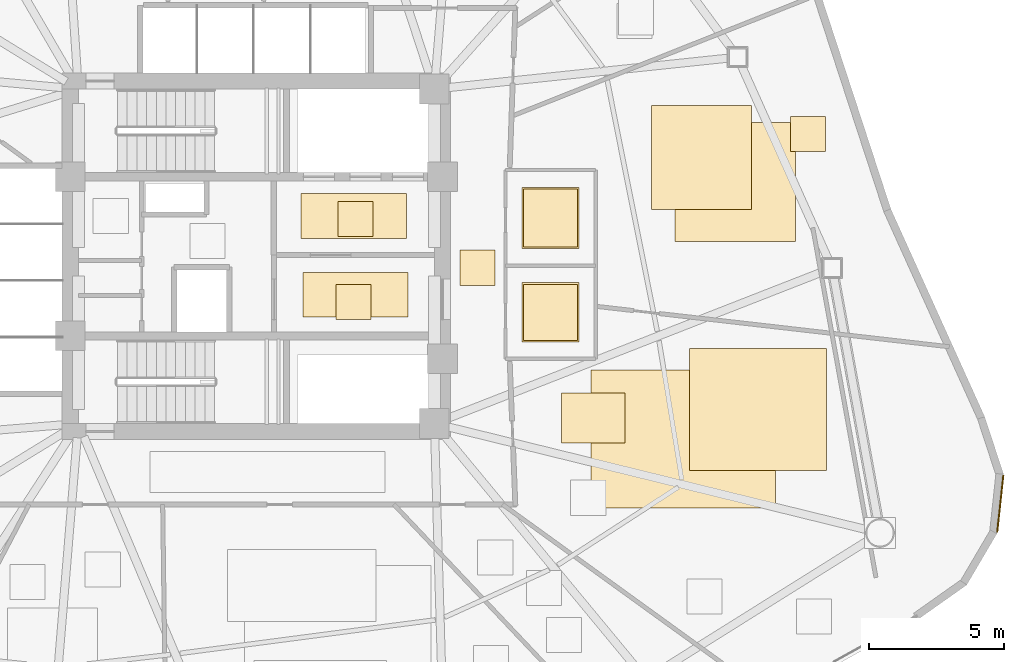
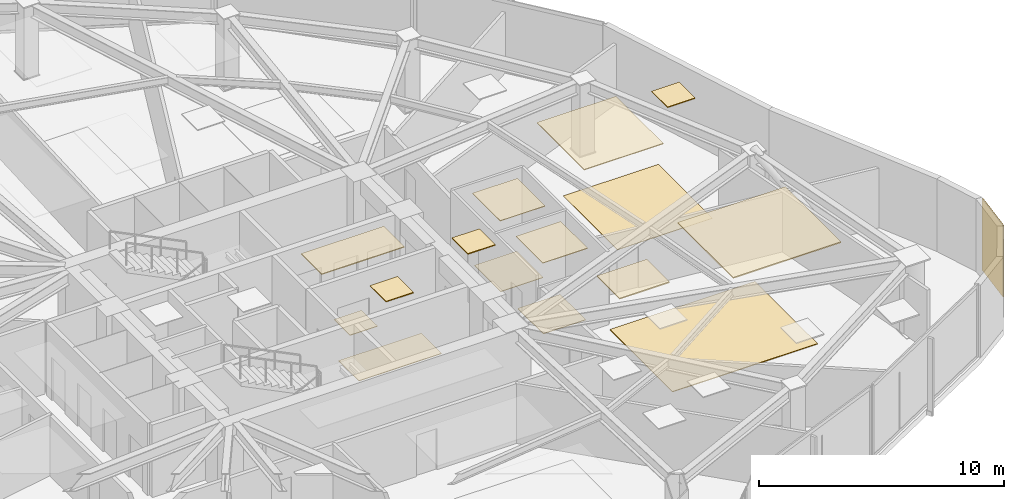
# One storey, part 16 of 17: 16 coverings.
"""IFC4 building model written with IfcOpenShell, lengths in metres."""

from ifc_helpers import new_model, si_unit, direction, frame, origin, origin_2d, place, context, subcontext, project, spatial, polyline, rectangle, outline, extrude, material, layer, layer_set, type_object, element, save


model = new_model("IFC4")

# Units and contexts
model_context = context("Model", 3, precision=1e-05, world=origin(), true_north=direction((0.0, 1.0)))
body_context = subcontext(model_context, "Body", "Model", "MODEL_VIEW")
ifc_project = project(units=[si_unit("LENGTHUNIT", "METRE"), si_unit("AREAUNIT", "SQUARE_METRE"), si_unit("VOLUMEUNIT", "CUBIC_METRE"), si_unit("PLANEANGLEUNIT", "RADIAN"), si_unit("MASSUNIT", "GRAM", prefix="KILO")], contexts=[model_context])

# Site, building, storey
site_placement = place(None, origin())
site = spatial("IfcSite", under=ifc_project, at=site_placement, CompositionType="ELEMENT")
building_placement = place(site_placement, origin())
building = spatial("IfcBuilding", under=site, at=building_placement, Name="Tavelor Broadcast Tower", CompositionType="ELEMENT")
storey_placement = place(building_placement, frame((0.0, 0.0, 74.39990234375)))
storey = spatial("IfcBuildingStorey", under=building, at=storey_placement, Name="L17", CompositionType="ELEMENT", Elevation=74.39990234375)

# Coverings
ifc_material_1 = material(Name="Copper-Bronze Anodized Aluminium", Category="aluminium")
ifc_layer_1 = layer(ifc_material_1, 0.044921875)
ifc_layer_set_1 = layer_set([ifc_layer_1], Name="Copper-Bronze Anodized Aluminium")
covering_type_1 = type_object("IfcCoveringType", Name="Anodised Bronze Linear Slatted Concourse Ceiling 45 mm", PredefinedType="CEILING", material=ifc_layer_set_1)
covering_1_placement = place(storey_placement, frame((0.0, 0.0, 3.55517578125)))
element("IfcCovering", 1, at=covering_1_placement, inside=storey, type_object=covering_type_1, Name="L17 Suspended Acoustic Ceiling 0685", PredefinedType="CEILING", context=body_context, shape_type="SweptSolid", body=[
    extrude(outline(polyline([(51.659912109375, 45.654296875), (55.55712890625, 45.654296875), (55.55712890625, 47.331787109375), (51.659912109375, 47.331787109375), (51.659912109375, 45.654296875)])), origin(), (0.0, 0.0, 1.0), 0.044921875),
])
covering_2_placement = place(storey_placement, frame((0.0, 0.0, 3.55517578125)))
element("IfcCovering", 2, at=covering_2_placement, inside=storey, type_object=covering_type_1, Name="L17 Suspended Acoustic Ceiling 0686", PredefinedType="CEILING", context=body_context, shape_type="SweptSolid", body=[
    extrude(outline(polyline([(52.95361328125, 42.656982421875), (54.25341796875, 42.656982421875), (54.25341796875, 43.95703125), (52.95361328125, 43.95703125), (52.95361328125, 42.656982421875)])), origin(), (0.0, 0.0, 1.0), 0.044921875),
])
covering_3_placement = place(storey_placement, frame((0.0, 0.0, 3.55517578125)))
element("IfcCovering", 3, at=covering_3_placement, inside=storey, type_object=covering_type_1, Name="L17 Suspended Acoustic Ceiling 0689", PredefinedType="CEILING", context=body_context, shape_type="SweptSolid", body=[
    extrude(outline(polyline([(57.5400390625, 43.925048828125), (58.840087890625, 43.925048828125), (58.840087890625, 45.22509765625), (57.5400390625, 45.22509765625), (57.5400390625, 43.925048828125)])), origin(), (0.0, 0.0, 1.0), 0.044921875),
])
ifc_layer_2 = layer(ifc_material_1, 0.050048828125)
ifc_layer_set_2 = layer_set([ifc_layer_2], Name="Copper-Bronze Anodized Aluminium")
covering_type_2 = type_object("IfcCoveringType", Name="Champagne-Bronze Corner Pier Metal Cladding 50 mm", PredefinedType="CLADDING", material=ifc_layer_set_2)
covering_4_placement = place(storey_placement, frame((77.576904296875, 35.831787109375, 0.02001953125), z_axis=(0.0, 0.0, 1.0), x_axis=(0.107131754314, 0.994244832633, 0.0)))
element("IfcCovering", 4, at=covering_4_placement, inside=storey, type_object=covering_type_2, Name="L17 Champagne-Bronze Corner Cladding 23", PredefinedType="CLADDING", context=body_context, shape_type="SweptSolid", body=[
    extrude(rectangle(XDim=2.11962890625, YDim=0.050048828125, at=origin_2d()), origin(), (0.0, 0.0, 1.0), 3.56005859375),
])
ifc_material_2 = material(Name="Acoustic Nylon Carpet Tile")
ifc_layer_3 = layer(ifc_material_2, 0.02001953125)
ifc_layer_set_3 = layer_set([ifc_layer_3], Name="Acoustic Nylon Carpet Tile")
covering_type_3 = type_object("IfcCoveringType", Name="Heavy-Duty Acoustic Broadcast Carpet Tile 20 mm", PredefinedType="FLOORING", material=ifc_layer_set_3)
covering_5_placement = place(storey_placement, origin())
element("IfcCovering", 5, at=covering_5_placement, inside=storey, type_object=covering_type_3, Name="L17 Broadcast Floor Finish 0252", PredefinedType="FLOORING", context=body_context, shape_type="SweptSolid", body=[
    extrude(outline(polyline([(65.518310546875, 45.54931640625), (69.994873046875, 45.54931640625), (69.994873046875, 49.969482421875), (65.518310546875, 49.969482421875), (65.518310546875, 45.54931640625)])), origin(), (0.0, 0.0, 1.0), 0.02001953125),
])
ifc_material_3 = material(Name="Honed Natural Limestone Tile", Category="masonry")
ifc_layer_4 = layer(ifc_material_3, 0.030029296875)
ifc_layer_set_4 = layer_set([ifc_layer_4], Name="Honed Natural Limestone Tile")
covering_type_4 = type_object("IfcCoveringType", Name="Honed Jerusalem Limestone Concourse Flooring 30 mm", PredefinedType="FLOORING", material=ifc_layer_set_4)
covering_6_placement = place(storey_placement, origin())
element("IfcCovering", 6, at=covering_6_placement, inside=storey, type_object=covering_type_4, Name="L17 Broadcast Floor Finish 0236", PredefinedType="FLOORING", context=body_context, shape_type="SweptSolid", body=[
    extrude(outline(polyline([(53.030029296875, 45.728515625), (54.330078125, 45.728515625), (54.330078125, 47.028564453125), (53.030029296875, 47.028564453125), (53.030029296875, 45.728515625)])), origin(), (0.0, 0.0, 1.0), 0.030029296875),
])
covering_7_placement = place(storey_placement, origin())
element("IfcCovering", 7, at=covering_7_placement, inside=storey, type_object=covering_type_4, Name="L17 Broadcast Floor Finish 0237", PredefinedType="FLOORING", context=body_context, shape_type="SweptSolid", body=[
    extrude(outline(polyline([(51.728759765625, 42.743408203125), (55.62109375, 42.743408203125), (55.62109375, 44.396484375), (51.728759765625, 44.396484375), (51.728759765625, 42.743408203125)])), origin(), (0.0, 0.0, 1.0), 0.030029296875),
])
ifc_material_4 = material(Name="Acoustic Hardwood Studio Flooring", Category="wood")
ifc_layer_5 = layer(ifc_material_4, 0.034912109375)
ifc_layer_set_5 = layer_set([ifc_layer_5], Name="Acoustic Hardwood Studio Flooring")
covering_type_5 = type_object("IfcCoveringType", Name="Isolated Studio Acoustic Elastomeric Floor Finish 35 mm", PredefinedType="FLOORING", material=ifc_layer_set_5)
covering_8_placement = place(storey_placement, origin())
element("IfcCovering", 8, at=covering_8_placement, inside=storey, type_object=covering_type_5, Name="L17 Broadcast Floor Finish 0253", PredefinedType="FLOORING", context=body_context, shape_type="SweptSolid", body=[
    extrude(outline(polyline([(62.410888671875, 35.677001953125), (69.23681640625, 35.677001953125), (69.23681640625, 40.78076171875), (62.410888671875, 40.78076171875), (62.410888671875, 35.677001953125)])), origin(), (0.0, 0.0, 1.0), 0.03515625),
])
ifc_material_5 = material(Name="Acoustic Perforated Timber Baffle", Category="wood")
ifc_layer_6 = layer(ifc_material_5, 0.054931640625)
ifc_layer_set_6 = layer_set([ifc_layer_6], Name="Acoustic Perforated Timber Baffle")
covering_type_6 = type_object("IfcCoveringType", Name="Micro-Perforated Acoustic Baffle Studio Ceiling 55 mm", PredefinedType="CEILING", material=ifc_layer_set_6)
covering_9_placement = place(storey_placement, frame((0.0, 0.0, 3.545166015625)))
element("IfcCovering", 9, at=covering_9_placement, inside=storey, type_object=covering_type_6, Name="L17 Suspended Acoustic Ceiling 0728", PredefinedType="CEILING", context=body_context, shape_type="SweptSolid", body=[
    extrude(outline(polyline([(61.310791015625, 38.085205078125), (63.65673828125, 38.085205078125), (63.65673828125, 39.940185546875), (61.310791015625, 39.940185546875), (61.310791015625, 38.085205078125)])), origin(), (0.0, 0.0, 1.0), 0.054931640625),
])
covering_10_placement = place(storey_placement, frame((0.0, 0.0, 3.545166015625)))
element("IfcCovering", 10, at=covering_10_placement, inside=storey, type_object=covering_type_6, Name="L17 Suspended Acoustic Ceiling 0729", PredefinedType="CEILING", context=body_context, shape_type="SweptSolid", body=[
    extrude(outline(polyline([(66.0576171875, 37.052978515625), (71.1337890625, 37.052978515625), (71.1337890625, 41.576904296875), (66.0576171875, 41.576904296875), (66.0576171875, 37.052978515625)])), origin(), (0.0, 0.0, 1.0), 0.054931640625),
])
ifc_material_6 = material(Name="Architectural Anodized Aluminium", Category="aluminium")
ifc_layer_7 = layer(ifc_material_6, 0.030029296875)
ifc_layer_set_7 = layer_set([ifc_layer_7], Name="Architectural Anodized Aluminium")
covering_type_7 = type_object("IfcCoveringType", Name="Moisture-Resistant Washroom Ceiling 30 mm", PredefinedType="CEILING", material=ifc_layer_set_7)
covering_11_placement = place(storey_placement, frame((0.0, 0.0, 3.570068359375)))
element("IfcCovering", 11, at=covering_11_placement, inside=storey, type_object=covering_type_7, Name="L17 Suspended Acoustic Ceiling 0692", PredefinedType="CEILING", context=body_context, shape_type="SweptSolid", body=[
    extrude(outline(polyline([(59.85302734375, 41.828369140625), (61.967041015625, 41.828369140625), (61.967041015625, 44.021484375), (59.85302734375, 44.021484375), (59.85302734375, 41.828369140625)])), origin(), (0.0, 0.0, 1.0), 0.030029296875),
])
covering_12_placement = place(storey_placement, frame((0.0, 0.0, 3.570068359375)))
element("IfcCovering", 12, at=covering_12_placement, inside=storey, type_object=covering_type_7, Name="L17 Suspended Acoustic Ceiling 0693", PredefinedType="CEILING", context=body_context, shape_type="SweptSolid", body=[
    extrude(outline(polyline([(59.85302734375, 45.29248046875), (61.967041015625, 45.29248046875), (61.967041015625, 47.5576171875), (59.85302734375, 47.5576171875), (59.85302734375, 45.29248046875)])), origin(), (0.0, 0.0, 1.0), 0.030029296875),
])
ifc_material_7 = material(Name="Slip-Resistant Porcelain Tile")
ifc_layer_8 = layer(ifc_material_7, 0.02490234375)
ifc_layer_set_8 = layer_set([ifc_layer_8], Name="Slip-Resistant Porcelain Tile")
covering_type_8 = type_object("IfcCoveringType", Name="Slip-Resistant Porcelain Wet-Area Floor Tile 25 mm", PredefinedType="FLOORING", material=ifc_layer_set_8)
covering_13_placement = place(storey_placement, origin())
element("IfcCovering", 13, at=covering_13_placement, inside=storey, type_object=covering_type_8, Name="L17 Broadcast Floor Finish 0239", PredefinedType="FLOORING", context=body_context, shape_type="SweptSolid", body=[
    extrude(outline(polyline([(59.91064453125, 41.885986328125), (61.909423828125, 41.885986328125), (61.909423828125, 43.964111328125), (59.91064453125, 43.964111328125), (59.91064453125, 41.885986328125)])), origin(), (0.0, 0.0, 1.0), 0.025146484375),
])
covering_14_placement = place(storey_placement, origin())
element("IfcCovering", 14, at=covering_14_placement, inside=storey, type_object=covering_type_8, Name="L17 Broadcast Floor Finish 0240", PredefinedType="FLOORING", context=body_context, shape_type="SweptSolid", body=[
    extrude(outline(polyline([(59.91064453125, 45.35009765625), (61.909423828125, 45.35009765625), (61.909423828125, 47.5), (59.91064453125, 47.5), (59.91064453125, 45.35009765625)])), origin(), (0.0, 0.0, 1.0), 0.025146484375),
])
ifc_material_8 = material(Name="Acoustic Mineral Fibre Tile")
ifc_layer_9 = layer(ifc_material_8, 0.0400390625)
ifc_layer_set_9 = layer_set([ifc_layer_9], Name="Acoustic Mineral Fibre Tile")
covering_type_9 = type_object("IfcCoveringType", Name="Suspended Acoustic Mineral-Fibre Office Ceiling 40 mm", PredefinedType="CEILING", material=ifc_layer_set_9)
covering_15_placement = place(storey_placement, frame((0.0, 0.0, 3.56005859375)))
element("IfcCovering", 15, at=covering_15_placement, inside=storey, type_object=covering_type_9, Name="L17 Suspended Acoustic Ceiling 0726", PredefinedType="CEILING", context=body_context, shape_type="SweptSolid", body=[
    extrude(outline(polyline([(64.639404296875, 46.7333984375), (68.3623046875, 46.7333984375), (68.3623046875, 50.595947265625), (64.639404296875, 50.595947265625), (64.639404296875, 46.7333984375)])), origin(), (0.0, 0.0, 1.0), 0.0400390625),
])
covering_16_placement = place(storey_placement, frame((0.0, 0.0, 3.56005859375)))
element("IfcCovering", 16, at=covering_16_placement, inside=storey, type_object=covering_type_9, Name="L17 Suspended Acoustic Ceiling 0727", PredefinedType="CEILING", context=body_context, shape_type="SweptSolid", body=[
    extrude(outline(polyline([(69.798583984375, 48.879150390625), (71.0986328125, 48.879150390625), (71.0986328125, 50.17919921875), (69.798583984375, 50.17919921875), (69.798583984375, 48.879150390625)])), origin(), (0.0, 0.0, 1.0), 0.0400390625),
])

save(model, "model.ifc")
